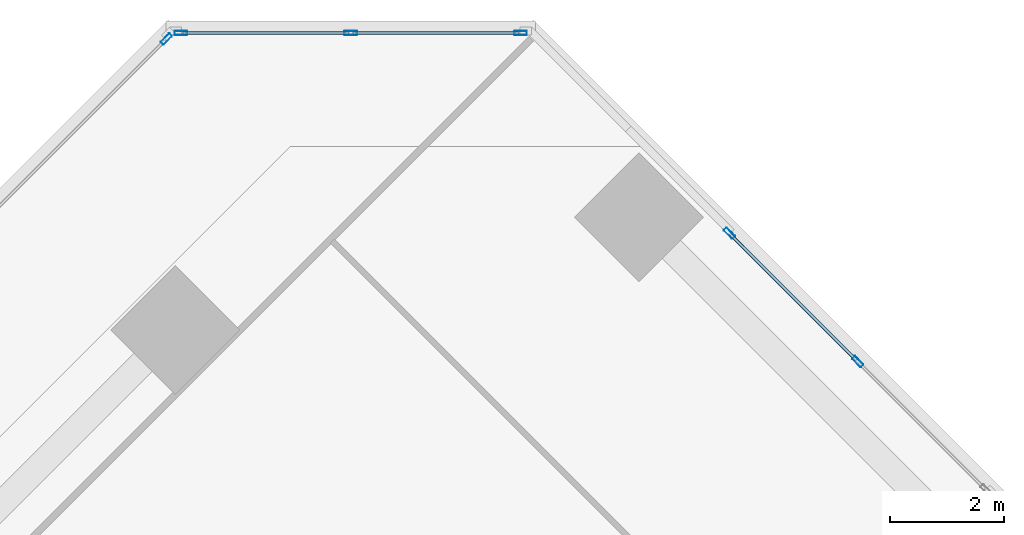
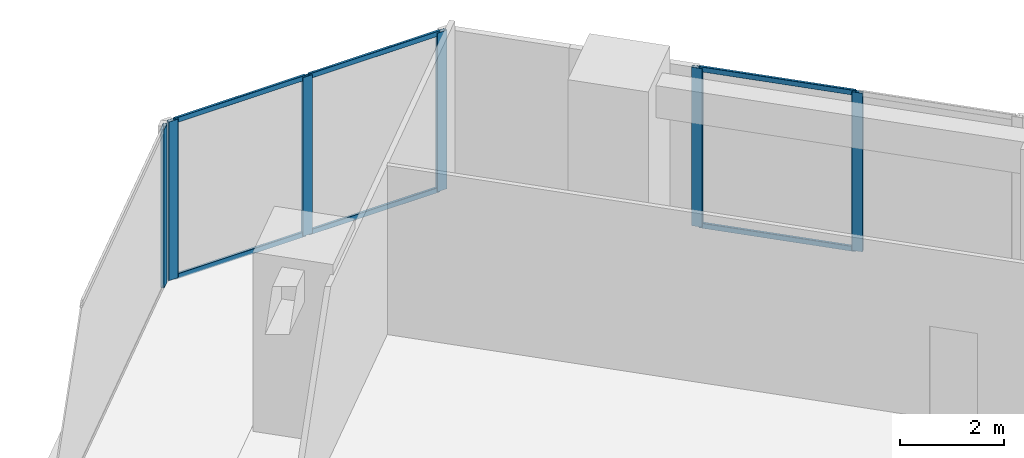
# One storey, part 10 of 17: 12 members, 3 elements without a shape of their own.
"""IFC4 building model written with IfcOpenShell, lengths in metres."""

from ifc_helpers import new_model, si_unit, direction, frame, origin, origin_2d, place, context, subcontext, project, spatial, hollow_rectangle, extrude, source, transform, mapped, material, material_profile, profile_set, type_object, element, aggregate, save


model = new_model("IFC4")

# Units and contexts
model_context = context("Model", 3, precision=1e-05, world=origin(), true_north=direction((0.0, 1.0)))
body_context = subcontext(model_context, "Body", "Model", "MODEL_VIEW")
ifc_project = project(units=[si_unit("LENGTHUNIT", "METRE"), si_unit("AREAUNIT", "SQUARE_METRE"), si_unit("VOLUMEUNIT", "CUBIC_METRE"), si_unit("PLANEANGLEUNIT", "RADIAN"), si_unit("MASSUNIT", "GRAM", prefix="KILO")], contexts=[model_context])

# Site, building, storey
site_placement = place(None, origin())
site = spatial("IfcSite", under=ifc_project, at=site_placement, CompositionType="ELEMENT")
building_placement = place(site_placement, origin())
building = spatial("IfcBuilding", under=site, at=building_placement, Name="Torre Montelarca", CompositionType="ELEMENT")
storey_placement = place(building_placement, frame((0.0, 0.0, 250.0)))
storey = spatial("IfcBuildingStorey", under=building, at=storey_placement, Name="L56", CompositionType="ELEMENT", Elevation=250.0)

# Curtain wall, members
ifc_material_1 = material(Name="Insulated low-E laminated glass", Category="glass")
curtain_wall_type = type_object("IfcCurtainWallType", Name="CW-SYS-Z3", PredefinedType="USERDEFINED", material=ifc_material_1)
curtain_wall_1_placement = place(storey_placement, origin())
curtain_wall_1 = element("IfcCurtainWall", 1, at=curtain_wall_1_placement, inside=storey, type_object=curtain_wall_type, Name="L56 Curtain Wall Run CW-T3-L56-E08-B3", ObjectType="UNITISED GLAZING", PredefinedType="USERDEFINED")
ifc_material_2 = material(Name="Anodised aluminium AA 6063-T6", Category="aluminium")
ifc_material_profile_1 = material_profile(ifc_material_2, hollow_rectangle(XDim=0.074951171875, YDim=0.219970703125, WallThickness=0.0048828125, InnerFilletRadius=0.0048828125, OuterFilletRadius=0.010009765625, at=origin_2d()), Name="ALU75X220X5", Category="aluminium")
ifc_profile_set_1 = profile_set([ifc_material_profile_1], Name="Anodised aluminium AA 6063-T6")
member_type_1 = type_object("IfcMemberType", Name="CWM-ALU220", PredefinedType="MULLION", material=ifc_profile_set_1)
shared_shape_1 = source(origin(), body_context, "Body", "SweptSolid", [
    extrude(hollow_rectangle(XDim=0.074951171875, YDim=0.219970703125, WallThickness=0.0048828125, InnerFilletRadius=0.0048828125, OuterFilletRadius=0.010009765625, at=origin_2d()), origin(), (0.0, 0.0, 1.0), 3.719970703125),
])
member_1_placement = place(storey_placement, frame((27.206298828125, 49.02001953125, 0.0), z_axis=(0.0, 0.0, 1.0), x_axis=(-0.707106781187, -0.707106781187, 0.0)))
member_1 = element("IfcMember", 2, at=member_1_placement, type_object=member_type_1, Name="CW mullion 2", PredefinedType="MULLION", context=body_context, shape_type="MappedRepresentation", body=[
    mapped(shared_shape_1, transform((0.0, 0.0, 0.0), scale=1.0)),
])
member_2_placement = place(storey_placement, frame((24.9560546875, 51.2705078125, 0.0), z_axis=(0.0, 0.0, 1.0), x_axis=(-0.707106781187, -0.707106781187, 0.0)))
member_2 = element("IfcMember", 3, at=member_2_placement, type_object=member_type_1, Name="CW mullion 3", PredefinedType="MULLION", context=body_context, shape_type="MappedRepresentation", body=[
    mapped(shared_shape_1, transform((0.0, 0.0, 0.0), scale=1.0)),
])

curtain_wall_2_placement = place(storey_placement, origin())
curtain_wall_2 = element("IfcCurtainWall", 4, at=curtain_wall_2_placement, inside=storey, type_object=curtain_wall_type, Name="L56 Curtain Wall Run CW-T3-L56-E09-B1", ObjectType="UNITISED GLAZING", PredefinedType="USERDEFINED")
member_3_placement = place(storey_placement, frame((21.296630859375, 54.7802734375, 0.0), z_axis=(0.0, 0.0, 1.0), x_axis=(0.0, -1.0, 0.0)))
member_3 = element("IfcMember", 5, at=member_3_placement, type_object=member_type_1, Name="CW mullion 1", PredefinedType="MULLION", context=body_context, shape_type="MappedRepresentation", body=[
    mapped(shared_shape_1, transform((0.0, 0.0, 0.0), scale=1.0)),
])
member_4_placement = place(storey_placement, frame((18.318115234375, 54.7802734375, 0.0), z_axis=(0.0, 0.0, 1.0), x_axis=(0.0, -1.0, 0.0)))
member_4 = element("IfcMember", 6, at=member_4_placement, type_object=member_type_1, Name="CW mullion 2", PredefinedType="MULLION", context=body_context, shape_type="MappedRepresentation", body=[
    mapped(shared_shape_1, transform((0.0, 0.0, 0.0), scale=1.0)),
])
member_5_placement = place(storey_placement, frame((15.33935546875, 54.7802734375, 0.0), z_axis=(0.0, 0.0, 1.0), x_axis=(0.0, -1.0, 0.0)))
member_5 = element("IfcMember", 7, at=member_5_placement, type_object=member_type_1, Name="CW mullion 3", PredefinedType="MULLION", context=body_context, shape_type="MappedRepresentation", body=[
    mapped(shared_shape_1, transform((0.0, 0.0, 0.0), scale=1.0)),
])

# Curtain wall, member
curtain_wall_3_placement = place(storey_placement, origin())
curtain_wall_3 = element("IfcCurtainWall", 8, at=curtain_wall_3_placement, inside=storey, type_object=curtain_wall_type, Name="L56 Curtain Wall Run CW-T3-L56-E10-B1", ObjectType="UNITISED GLAZING", PredefinedType="USERDEFINED")
member_6_placement = place(storey_placement, frame((15.083984375, 54.674560546875, 0.0), z_axis=(0.0, 0.0, 1.0), x_axis=(0.707108775742, -0.707104786625, 0.0)))
member_6 = element("IfcMember", 9, at=member_6_placement, type_object=member_type_1, Name="CW mullion 1", PredefinedType="MULLION", context=body_context, shape_type="MappedRepresentation", body=[
    mapped(shared_shape_1, transform((0.0, 0.0, 0.0), scale=1.0)),
])
aggregate(curtain_wall_3, [member_6])

# Member
ifc_material_profile_2 = material_profile(ifc_material_2, hollow_rectangle(XDim=0.054931640625, YDim=0.1201171875, WallThickness=0.00341796875, InnerFilletRadius=0.00341796875, OuterFilletRadius=0.007080078125, at=origin_2d()), Name="ALU55X120X3.5", Category="aluminium")
ifc_profile_set_2 = profile_set([ifc_material_profile_2], Name="Anodised aluminium AA 6063-T6")
member_type_2 = type_object("IfcMemberType", Name="CWT-ALU120", PredefinedType="USERDEFINED", material=ifc_profile_set_2)
shared_shape_2 = source(origin(), body_context, "Body", "SweptSolid", [
    extrude(hollow_rectangle(XDim=0.054931640625, YDim=0.1201171875, WallThickness=0.00341796875, InnerFilletRadius=0.00341796875, OuterFilletRadius=0.007080078125, at=origin_2d()), origin(), (0.0, 0.0, 1.0), 3.107666015625),
])
member_7_placement = place(storey_placement, frame((27.179931640625, 49.046630859375, 0.027587890625), z_axis=(-0.707146061623, 0.707067498568, 0.0), x_axis=(-0.707067498568, -0.707146061623, 0.0)))
member_7 = element("IfcMember", 10, at=member_7_placement, type_object=member_type_2, Name="CW transom 2.1", ObjectType="TRANSOM", PredefinedType="USERDEFINED", context=body_context, shape_type="MappedRepresentation", body=[
    mapped(shared_shape_2, transform((0.0, 0.0, 0.0), scale=1.0)),
])

member_8_placement = place(storey_placement, frame((27.179931640625, 49.046630859375, 3.6923828125), z_axis=(-0.707146061623, 0.707067498568, 0.0), x_axis=(-0.707067498568, -0.707146061623, 0.0)))
member_8 = element("IfcMember", 11, at=member_8_placement, type_object=member_type_2, Name="CW transom 2.2", ObjectType="TRANSOM", PredefinedType="USERDEFINED", context=body_context, shape_type="MappedRepresentation", body=[
    mapped(shared_shape_2, transform((0.0, 0.0, 0.0), scale=1.0)),
])

aggregate(curtain_wall_1, [member_1, member_2, member_7, member_8])

shared_shape_3 = source(origin(), body_context, "Body", "SweptSolid", [
    extrude(hollow_rectangle(XDim=0.054931640625, YDim=0.1201171875, WallThickness=0.00341796875, InnerFilletRadius=0.00341796875, OuterFilletRadius=0.007080078125, at=origin_2d()), origin(), (0.0, 0.0, 1.0), 2.90380859375),
])
member_9_placement = place(storey_placement, frame((21.25927734375, 54.7802734375, 0.027587890625), z_axis=(-1.0, 0.0, 0.0), x_axis=(0.0, -1.0, 0.0)))
member_9 = element("IfcMember", 12, at=member_9_placement, type_object=member_type_2, Name="CW transom 1.1", ObjectType="TRANSOM", PredefinedType="USERDEFINED", context=body_context, shape_type="MappedRepresentation", body=[
    mapped(shared_shape_3, transform((0.0, 0.0, 0.0), scale=1.0)),
])

member_10_placement = place(storey_placement, frame((21.25927734375, 54.7802734375, 3.6923828125), z_axis=(-1.0, 0.0, 0.0), x_axis=(0.0, -1.0, 0.0)))
member_10 = element("IfcMember", 13, at=member_10_placement, type_object=member_type_2, Name="CW transom 1.2", ObjectType="TRANSOM", PredefinedType="USERDEFINED", context=body_context, shape_type="MappedRepresentation", body=[
    mapped(shared_shape_3, transform((0.0, 0.0, 0.0), scale=1.0)),
])

member_11_placement = place(storey_placement, frame((18.280517578125, 54.7802734375, 0.027587890625), z_axis=(-1.0, 0.0, 0.0), x_axis=(0.0, -1.0, 0.0)))
member_11 = element("IfcMember", 14, at=member_11_placement, type_object=member_type_2, Name="CW transom 2.1", ObjectType="TRANSOM", PredefinedType="USERDEFINED", context=body_context, shape_type="MappedRepresentation", body=[
    mapped(shared_shape_3, transform((0.0, 0.0, 0.0), scale=1.0)),
])

member_12_placement = place(storey_placement, frame((18.280517578125, 54.7802734375, 3.6923828125), z_axis=(-1.0, 0.0, 0.0), x_axis=(0.0, -1.0, 0.0)))
member_12 = element("IfcMember", 15, at=member_12_placement, type_object=member_type_2, Name="CW transom 2.2", ObjectType="TRANSOM", PredefinedType="USERDEFINED", context=body_context, shape_type="MappedRepresentation", body=[
    mapped(shared_shape_3, transform((0.0, 0.0, 0.0), scale=1.0)),
])

aggregate(curtain_wall_2, [member_3, member_4, member_5, member_9, member_10, member_11, member_12])

save(model, "model.ifc")
